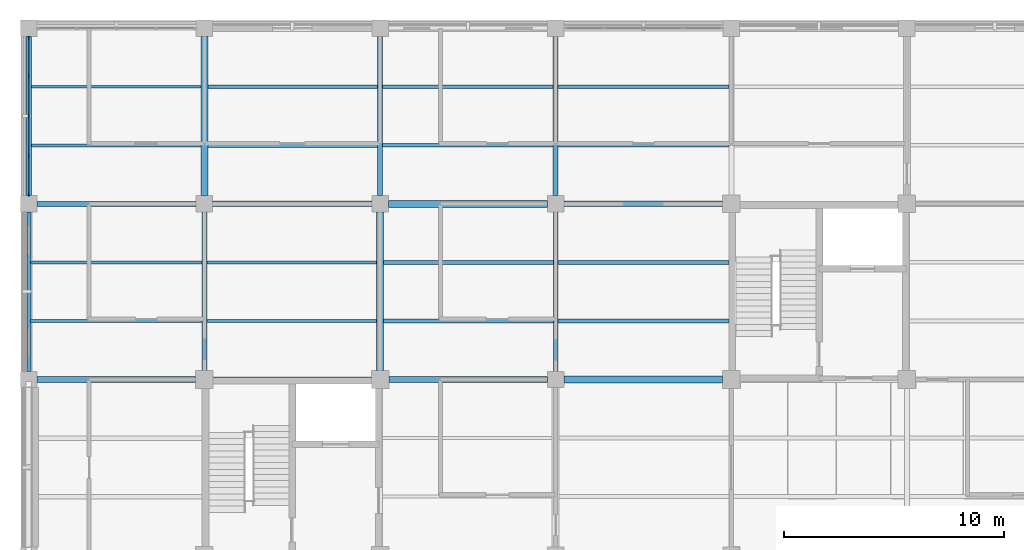
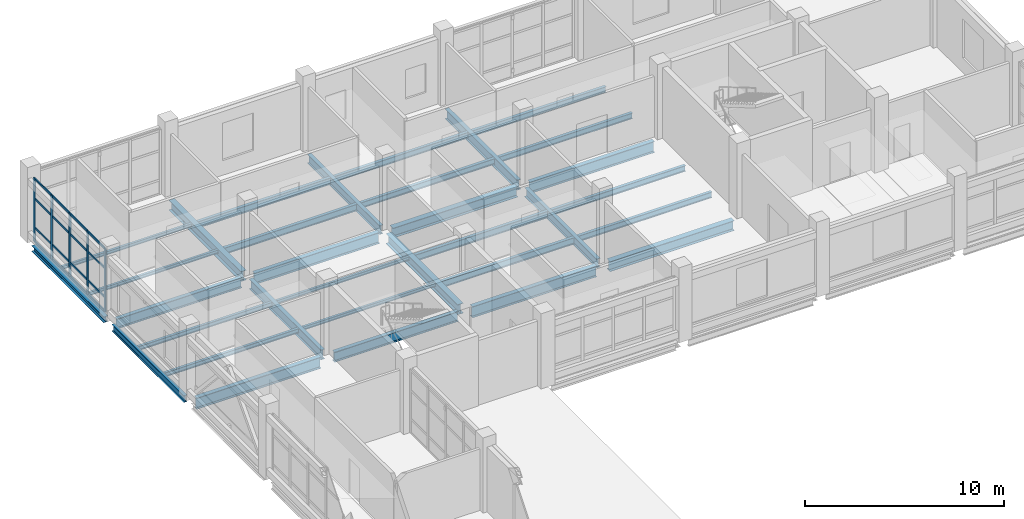
# One storey, part 35 of 121: 32 beams, 21 members, 1 element without a shape of its own.
"""IFC4 building model written with IfcOpenShell, lengths in metres."""

import ifcopenshell
import ifcopenshell.guid

model = None  # the IFC model being written
_history = None  # IfcOwnerHistory: only IFC2X3 demands one
_inside = {}  # id of a spatial element -> (the spatial element, [elements in it])
_under = {}  # id of a project, library or spatial element -> (it, [spatial elements below it])
_declared = {}  # id of a project -> (the project, [libraries it declares])
_typed = {}  # id of a type object -> (the type object, [elements of that type])
_made_of = {}  # id of a material, layer set ... -> (it, [elements and type objects made of it])


def new_model(schema):
    """Start an empty IFC model of exactly this schema.

    Asked for "IFC4X3", IfcOpenShell would pick the latest addendum, in which some entities
    have other attributes; the version numbers below select the first issue.
    IFC2X3 requires an IfcOwnerHistory on every rooted entity: one is made here for all.
    """
    global model, _history
    if schema == "IFC4X3":
        model = ifcopenshell.file(schema_version=(4, 3, 0, 0))
    else:
        model = ifcopenshell.file(schema=schema)
    _inside.clear()
    _under.clear()
    _declared.clear()
    _typed.clear()
    _made_of.clear()
    _history = None
    if model.schema == "IFC2X3":
        org = make("IfcOrganization", Name="unknown")
        user = make(
            "IfcPersonAndOrganization",
            ThePerson=make("IfcPerson", FamilyName="unknown"),
            TheOrganization=org,
        )
        app = make(
            "IfcApplication",
            ApplicationDeveloper=org,
            Version="unknown",
            ApplicationFullName="unknown",
            ApplicationIdentifier="unknown",
        )
        _history = make(
            "IfcOwnerHistory",
            OwningUser=user,
            OwningApplication=app,
            ChangeAction="ADDED",
            CreationDate=0,
        )
    return model


def make(cls, **values):
    """One entity of the class cls with the attributes given. An attribute that is None is left unset."""
    return model.create_entity(
        cls, **{name: value for name, value in values.items() if value is not None}
    )


def rooted(cls, **values):
    """An entity with a GlobalId (a new one), such as an element, a storey or a relation."""
    return make(cls, GlobalId=ifcopenshell.guid.new(), OwnerHistory=_history, **values)


def si_unit(unit_type, name, prefix=None):
    """IfcSIUnit, for example si_unit("LENGTHUNIT", "METRE", prefix="MILLI")."""
    return make("IfcSIUnit", UnitType=unit_type, Prefix=prefix, Name=name)


def derived_unit(unit_type, elements):
    """IfcDerivedUnit: a product of units, each with its exponent."""
    return make(
        "IfcDerivedUnit",
        Elements=[
            make("IfcDerivedUnitElement", Unit=unit, Exponent=power)
            for unit, power in elements
        ],
        UnitType=unit_type,
    )


def assignment(units):
    """IfcUnitAssignment: the units of a project."""
    return None if units is None else make("IfcUnitAssignment", Units=units)


def point(xyz):
    """IfcCartesianPoint."""
    return None if xyz is None else make("IfcCartesianPoint", Coordinates=xyz)


def direction(xyz):
    """IfcDirection."""
    return None if xyz is None else make("IfcDirection", DirectionRatios=xyz)


def frame(location, z_axis=None, x_axis=None):
    """IfcAxis2Placement3D, a coordinate frame: its origin and axes. An axis left out is left unset."""
    return make(
        "IfcAxis2Placement3D",
        Location=point(location),
        Axis=direction(z_axis),
        RefDirection=direction(x_axis),
    )


def frame_2d(location, x_axis=None):
    """IfcAxis2Placement2D, a coordinate frame in the plane: its origin and x axis."""
    return make(
        "IfcAxis2Placement2D", Location=point(location), RefDirection=direction(x_axis)
    )


def origin():
    """The frame at (0, 0, 0) with its axes left unset."""
    return frame((0.0, 0.0, 0.0))


def origin_2d():
    """The frame at (0, 0) in the plane with its x axis left unset."""
    return frame_2d((0.0, 0.0))


def place(relative_to, where):
    """IfcLocalPlacement: puts the frame where relative to a parent placement (None: the world)."""
    return make(
        "IfcLocalPlacement", PlacementRelTo=relative_to, RelativePlacement=where
    )


def context(
    kind, dimensions, precision=None, world=None, true_north=None, identifier=None
):
    """IfcGeometricRepresentationContext, for example the 3D "Model" context."""
    return make(
        "IfcGeometricRepresentationContext",
        ContextIdentifier=identifier,
        ContextType=kind,
        CoordinateSpaceDimension=dimensions,
        Precision=precision,
        WorldCoordinateSystem=world,
        TrueNorth=true_north,
    )


def subcontext(parent, identifier, kind, view, scale=None):
    """IfcGeometricRepresentationSubContext, for example "Body" below "Model"."""
    return make(
        "IfcGeometricRepresentationSubContext",
        ContextIdentifier=identifier,
        ContextType=kind,
        ParentContext=parent,
        TargetScale=scale,
        TargetView=view,
    )


def project(units=None, contexts=None):
    """IfcProject with its units and contexts."""
    return rooted(
        "IfcProject",
        Name="project",
        RepresentationContexts=contexts,
        UnitsInContext=assignment(units),
    )


def spatial(cls, under=None, at=None, **own):
    """A site, building, storey or space (cls), placed at a placement, below another one or the project."""
    s = rooted(cls, ObjectPlacement=at, **own)
    if under is not None:
        _under.setdefault(under.id(), (under, []))[1].append(s)
    return s


def profile(cls, at=None, kind="AREA", **sizes):
    """A parametric profile (cls). Its sizes go by their IFC names, for example OverallWidth=200.0."""
    return make(cls, ProfileType=kind, Position=at, **sizes)


def rectangle(**sizes):
    """IfcRectangleProfileDef."""
    return profile("IfcRectangleProfileDef", **sizes)


def i_section(**sizes):
    """IfcIShapeProfileDef."""
    return profile("IfcIShapeProfileDef", **sizes)


def extrude(swept, where, along, depth):
    """IfcExtrudedAreaSolid: the profile swept, set in the frame where, extruded along a direction by depth."""
    return make(
        "IfcExtrudedAreaSolid",
        SweptArea=swept,
        Position=where,
        ExtrudedDirection=direction(along),
        Depth=depth,
    )


def shape(context_of_items, identifier, shape_type, items):
    """IfcShapeRepresentation: the items that make up one representation, for example the "Body"."""
    return make(
        "IfcShapeRepresentation",
        ContextOfItems=context_of_items,
        RepresentationIdentifier=identifier,
        RepresentationType=shape_type,
        Items=items,
    )


def material(Name=None, Category=None):
    """IfcMaterial."""
    return make("IfcMaterial", Name=Name, Category=Category)


def layer(
    of_material, thickness, ventilated=None, Name=None, Category=None, Priority=None
):
    """IfcMaterialLayer: one layer of a wall or slab, of a material (None: an air gap)."""
    return make(
        "IfcMaterialLayer",
        Material=of_material,
        LayerThickness=thickness,
        IsVentilated=ventilated,
        Name=Name,
        Category=Category,
        Priority=Priority,
    )


def layer_set(layers, Name=None):
    """IfcMaterialLayerSet."""
    return make("IfcMaterialLayerSet", MaterialLayers=layers, LayerSetName=Name)


def material_profile(
    of_material, cross_section, Name=None, Category=None, Priority=None
):
    """IfcMaterialProfile: a cross section and its material."""
    return make(
        "IfcMaterialProfile",
        Name=Name,
        Material=of_material,
        Profile=cross_section,
        Priority=Priority,
        Category=Category,
    )


def profile_set(profiles, Name=None, composite=None):
    """IfcMaterialProfileSet."""
    return make(
        "IfcMaterialProfileSet",
        Name=Name,
        MaterialProfiles=profiles,
        CompositeProfile=composite,
    )


def made_of(thing, what):
    """Note that an element or type object is made of a material, layer set ...; save() writes the relation."""
    if what is not None:
        _made_of.setdefault(what.id(), (what, []))[1].append(thing)
    return thing


def type_object(cls, material=None, **own):
    """A type object (cls), such as IfcWallType, which elements share."""
    return made_of(rooted(cls, **own), material)


def element(
    cls,
    number,
    at=None,
    inside=None,
    cuts=None,
    type_object=None,
    material=None,
    context=None,
    identifier="Body",
    shape_type=None,
    held_by="IfcProductDefinitionShape",
    body=None,
    shapes=None,
    **own,
):
    """One element of the class cls, such as IfcWall. Its Tag is "e" and its number.

    at: its placement. inside: the storey or other place that contains it. cuts: it is an
    opening in that element (IfcRelVoidsElement). A single representation is given by context,
    identifier, shape_type and body (its items); several are given by shapes. held_by: the class
    of the entity that holds the representations. save() writes the other relations.
    """
    e = rooted(cls, Tag="e%d" % number, ObjectPlacement=at, **own)
    if body is not None:
        shapes = [shape(context, identifier, shape_type, body)]
    if shapes is not None:
        e.Representation = make(held_by, Representations=shapes)
    if inside is not None:
        _inside.setdefault(inside.id(), (inside, []))[1].append(e)
    if cuts is not None:
        rooted(
            "IfcRelVoidsElement", RelatingBuildingElement=cuts, RelatedOpeningElement=e
        )
    if type_object is not None:
        _typed.setdefault(type_object.id(), (type_object, []))[1].append(e)
    return made_of(e, material)


def aggregate(whole, parts):
    """IfcRelAggregates: a whole, such as a stair, and the parts it consists of."""
    return rooted("IfcRelAggregates", RelatingObject=whole, RelatedObjects=parts)


def save(model, path):
    """Write the relations noted so far, then the file.

    IfcRelAggregates (storeys below a building ...), IfcRelContainedInSpatialStructure (elements
    in a storey), IfcRelDefinesByType, IfcRelAssociatesMaterial and IfcRelDeclares: one each for
    every whole, place, type object, material and project.
    """
    for whole, parts in _under.values():
        aggregate(whole, parts)
    for where, things in _inside.values():
        rooted(
            "IfcRelContainedInSpatialStructure",
            RelatedElements=things,
            RelatingStructure=where,
        )
    for kind, things in _typed.values():
        rooted("IfcRelDefinesByType", RelatedObjects=things, RelatingType=kind)
    for what, things in _made_of.values():
        rooted("IfcRelAssociatesMaterial", RelatedObjects=things, RelatingMaterial=what)
    for by, libraries in _declared.values():
        rooted("IfcRelDeclares", RelatingContext=by, RelatedDefinitions=libraries)
    model.write(path)


model = new_model("IFC4")

# Units and contexts
model_context = context("Model", 3, precision=1e-05, world=origin(), true_north=direction((0.0, 1.0)))
body_context = subcontext(model_context, "Body", "Model", "MODEL_VIEW")
ifc_project = project(units=[si_unit("LENGTHUNIT", "METRE"), si_unit("AREAUNIT", "SQUARE_METRE"), si_unit("VOLUMEUNIT", "CUBIC_METRE"), si_unit("PLANEANGLEUNIT", "RADIAN"), si_unit("MASSUNIT", "GRAM", prefix="KILO"), derived_unit("THERMALTRANSMITTANCEUNIT", [(si_unit("MASSUNIT", "GRAM", prefix="KILO"), 1), (si_unit("TIMEUNIT", "SECOND"), -3), (si_unit("THERMODYNAMICTEMPERATUREUNIT", "KELVIN"), -1)])], contexts=[model_context])

# Site, building, storey
site_placement = place(None, origin())
site = spatial("IfcSite", under=ifc_project, at=site_placement, CompositionType="ELEMENT")
building_placement = place(site_placement, origin())
building = spatial("IfcBuilding", under=site, at=building_placement, Name="Veyamyaing Civic Hall", CompositionType="ELEMENT")
storey_placement = place(building_placement, frame((0.0, 0.0, 5.280029296875)))
storey = spatial("IfcBuildingStorey", under=building, at=storey_placement, Name="L01", CompositionType="ELEMENT", Elevation=5.280029296875)

# Beams
ifc_material_1 = material(Name="Steel ASTM A992", Category="steel")
ifc_material_profile_1 = material_profile(ifc_material_1, i_section(OverallWidth=0.256103515625, OverallDepth=0.693115234375, WebThickness=0.014404296875, FlangeThickness=0.023681640625, FilletRadius=0.013916015625, at=origin_2d()), Name="W690X170")
ifc_profile_set_1 = profile_set([ifc_material_profile_1], Name="Steel ASTM A992")
beam_type_1 = type_object("IfcBeamType", Name="B-04", PredefinedType="BEAM", material=ifc_profile_set_1)
for number, where, z_axis, x_axis, name in (
    (1, (0.375, 96.0, -0.591552734375), (1.0, 0.0, 0.0), (0.0, 1.0, 0.0), "Girder B-04 L01 Grid N 1-2"),
    (2, (24.375, 104.0, -0.591552734375), (1.0, 0.0, 0.0), (0.0, 1.0, 0.0), "Girder B-04 L01 Grid P 4-5"),
):
    element("IfcBeam", number, at=place(storey_placement, frame(where, z_axis=z_axis, x_axis=x_axis)), inside=storey, type_object=beam_type_1, Name=name, PredefinedType="BEAM", context=body_context, shape_type="SweptSolid", body=[
        extrude(i_section(OverallWidth=0.256103515625, OverallDepth=0.693115234375, WebThickness=0.014404296875, FlangeThickness=0.023681640625, FilletRadius=0.013916015625, at=origin_2d()), origin(), (0.0, 0.0, 1.0), 7.22509765625),
    ])
ifc_material_profile_2 = material_profile(ifc_material_1, i_section(OverallWidth=0.22998046875, OverallDepth=0.616943359375, WebThickness=0.01318359375, FlangeThickness=0.022216796875, FilletRadius=0.012939453125, at=origin_2d()), Name="W610X140")
ifc_profile_set_2 = profile_set([ifc_material_profile_2], Name="Steel ASTM A992")
beam_type_2 = type_object("IfcBeamType", Name="B-05", PredefinedType="BEAM", material=ifc_profile_set_2)
beam_1_placement = place(storey_placement, frame((8.39990234375, 96.0, -0.553466796875), z_axis=(1.0, 0.0, 0.0), x_axis=(0.0, 1.0, 0.0)))
element("IfcBeam", 3, at=beam_1_placement, inside=storey, type_object=beam_type_2, Name="Girder B-05 L01 Grid N 2-3", PredefinedType="BEAM", context=body_context, shape_type="SweptSolid", body=[
    extrude(i_section(OverallWidth=0.22998046875, OverallDepth=0.616943359375, WebThickness=0.01318359375, FlangeThickness=0.022216796875, FilletRadius=0.012939453125, at=origin_2d()), origin(), (0.0, 0.0, 1.0), 7.2001953125),
])
for number, where, z_axis, x_axis, name in (
    (4, (0.375, 104.0, -0.553466796875), (1.0, 0.0, 0.0), (0.0, 1.0, 0.0), "Girder B-05 L01 Grid P 1-2"),
    (5, (24.0, 104.375, -0.553466796875), (0.0, 1.0, 0.0), (-1.0, 0.0, 0.0), "Girder B-05 L01 Grid 4 P-Q"),
):
    element("IfcBeam", number, at=place(storey_placement, frame(where, z_axis=z_axis, x_axis=x_axis)), inside=storey, type_object=beam_type_2, Name=name, PredefinedType="BEAM", context=body_context, shape_type="SweptSolid", body=[
        extrude(i_section(OverallWidth=0.22998046875, OverallDepth=0.616943359375, WebThickness=0.01318359375, FlangeThickness=0.022216796875, FilletRadius=0.012939453125, at=origin_2d()), origin(), (0.0, 0.0, 1.0), 7.25),
    ])
ifc_material_profile_3 = material_profile(ifc_material_1, i_section(OverallWidth=0.22802734375, OverallDepth=0.60791015625, WebThickness=0.01123046875, FlangeThickness=0.017333984375, FilletRadius=0.012939453125, at=origin_2d()), Name="W610X113")
ifc_profile_set_3 = profile_set([ifc_material_profile_3], Name="Steel ASTM A992")
beam_type_3 = type_object("IfcBeamType", Name="B-06", PredefinedType="BEAM", material=ifc_profile_set_3)
beam_2_placement = place(storey_placement, frame((8.0, 96.39990234375, -0.549072265625), z_axis=(0.0, 1.0, 0.0), x_axis=(-1.0, 0.0, 0.0)))
element("IfcBeam", 6, at=beam_2_placement, inside=storey, type_object=beam_type_3, Name="Girder B-06 L01 Grid 2 N-P", PredefinedType="BEAM", context=body_context, shape_type="SweptSolid", body=[
    extrude(i_section(OverallWidth=0.22802734375, OverallDepth=0.60791015625, WebThickness=0.01123046875, FlangeThickness=0.017333984375, FilletRadius=0.012939453125, at=origin_2d()), origin(), (0.0, 0.0, 1.0), 7.22509765625),
])
ifc_material_profile_4 = material_profile(ifc_material_1, i_section(OverallWidth=0.25390625, OverallDepth=0.68408203125, WebThickness=0.012451171875, FlangeThickness=0.01904296875, FilletRadius=0.013916015625, at=origin_2d()), Name="W690X140")
ifc_profile_set_4 = profile_set([ifc_material_profile_4], Name="Steel ASTM A992")
beam_type_4 = type_object("IfcBeamType", Name="B-14", PredefinedType="BEAM", material=ifc_profile_set_4)
beam_3_placement = place(storey_placement, frame((16.39990234375, 96.0, -0.5869140625), z_axis=(1.0, 0.0, 0.0), x_axis=(0.0, 1.0, 0.0)))
element("IfcBeam", 7, at=beam_3_placement, inside=storey, type_object=beam_type_4, Name="Girder B-14 L01 Grid N 3-4", PredefinedType="BEAM", context=body_context, shape_type="SweptSolid", body=[
    extrude(i_section(OverallWidth=0.25390625, OverallDepth=0.68408203125, WebThickness=0.012451171875, FlangeThickness=0.01904296875, FilletRadius=0.013916015625, at=origin_2d()), origin(), (0.0, 0.0, 1.0), 7.22509765625),
])
beam_4_placement = place(storey_placement, frame((8.375, 104.0, -0.5869140625), z_axis=(1.0, 0.0, 0.0), x_axis=(0.0, 1.0, 0.0)))
element("IfcBeam", 8, at=beam_4_placement, inside=storey, type_object=beam_type_4, Name="Girder B-14 L01 Grid P 2-3", PredefinedType="BEAM", context=body_context, shape_type="SweptSolid", body=[
    extrude(i_section(OverallWidth=0.25390625, OverallDepth=0.68408203125, WebThickness=0.012451171875, FlangeThickness=0.01904296875, FilletRadius=0.013916015625, at=origin_2d()), origin(), (0.0, 0.0, 1.0), 7.25),
])
ifc_material_profile_5 = material_profile(ifc_material_1, i_section(OverallWidth=0.324951171875, OverallDepth=0.615966796875, WebThickness=0.013916015625, FlangeThickness=0.021484375, FilletRadius=0.013916015625, at=origin_2d()), Name="W610X174")
ifc_profile_set_5 = profile_set([ifc_material_profile_5], Name="Steel ASTM A992")
beam_type_5 = type_object("IfcBeamType", Name="B-15", PredefinedType="BEAM", material=ifc_profile_set_5)
beam_5_placement = place(storey_placement, frame((24.375, 96.0, -0.552978515625), z_axis=(1.0, 0.0, 0.0), x_axis=(0.0, 1.0, 0.0)))
element("IfcBeam", 9, at=beam_5_placement, inside=storey, type_object=beam_type_5, Name="Girder B-15 L01 Grid N 4-5", PredefinedType="BEAM", context=body_context, shape_type="SweptSolid", body=[
    extrude(i_section(OverallWidth=0.324951171875, OverallDepth=0.615966796875, WebThickness=0.013916015625, FlangeThickness=0.021484375, FilletRadius=0.013916015625, at=origin_2d()), origin(), (0.0, 0.0, 1.0), 7.22509765625),
])
for number, where, z_axis, x_axis, name in (
    (10, (16.375, 104.0, -0.552978515625), (1.0, 0.0, 0.0), (0.0, 1.0, 0.0), "Girder B-15 L01 Grid P 3-4"),
    (11, (8.0, 104.375, -0.552978515625), (0.0, 1.0, 0.0), (-1.0, 0.0, 0.0), "Girder B-15 L01 Grid 2 P-Q"),
):
    element("IfcBeam", number, at=place(storey_placement, frame(where, z_axis=z_axis, x_axis=x_axis)), inside=storey, type_object=beam_type_5, Name=name, PredefinedType="BEAM", context=body_context, shape_type="SweptSolid", body=[
        extrude(i_section(OverallWidth=0.324951171875, OverallDepth=0.615966796875, WebThickness=0.013916015625, FlangeThickness=0.021484375, FilletRadius=0.013916015625, at=origin_2d()), origin(), (0.0, 0.0, 1.0), 7.25),
    ])
beam_6_placement = place(storey_placement, frame((16.0, 96.39990234375, -0.552978515625), z_axis=(0.0, 1.0, 0.0), x_axis=(-1.0, 0.0, 0.0)))
element("IfcBeam", 12, at=beam_6_placement, inside=storey, type_object=beam_type_5, Name="Girder B-15 L01 Grid 3 N-P", PredefinedType="BEAM", context=body_context, shape_type="SweptSolid", body=[
    extrude(i_section(OverallWidth=0.324951171875, OverallDepth=0.615966796875, WebThickness=0.013916015625, FlangeThickness=0.021484375, FilletRadius=0.013916015625, at=origin_2d()), origin(), (0.0, 0.0, 1.0), 7.22509765625),
])
ifc_material_profile_6 = material_profile(ifc_material_1, i_section(OverallWidth=0.214111328125, OverallDepth=0.549072265625, WebThickness=0.0146484375, FlangeThickness=0.023681640625, FilletRadius=0.011962890625, at=origin_2d()), Name="W530X138")
ifc_profile_set_6 = profile_set([ifc_material_profile_6], Name="Steel ASTM A992")
beam_type_6 = type_object("IfcBeamType", Name="B-16", PredefinedType="BEAM", material=ifc_profile_set_6)
for number, where, z_axis, x_axis, name in (
    (13, (16.0, 104.375, -0.51953125), (0.0, 1.0, 0.0), (-1.0, 0.0, 0.0), "Girder B-16 L01 Grid 3 P-Q"),
    (14, (24.0, 96.375, -0.51953125), (0.0, 1.0, 0.0), (-1.0, 0.0, 0.0), "Girder B-16 L01 Grid 4 N-P"),
):
    element("IfcBeam", number, at=place(storey_placement, frame(where, z_axis=z_axis, x_axis=x_axis)), inside=storey, type_object=beam_type_6, Name=name, PredefinedType="BEAM", context=body_context, shape_type="SweptSolid", body=[
        extrude(i_section(OverallWidth=0.214111328125, OverallDepth=0.549072265625, WebThickness=0.0146484375, FlangeThickness=0.023681640625, FilletRadius=0.011962890625, at=origin_2d()), origin(), (0.0, 0.0, 1.0), 7.25),
    ])
ifc_material_profile_7 = material_profile(ifc_material_1, i_section(OverallWidth=0.180908203125, OverallDepth=0.4169921875, WebThickness=0.010986328125, FlangeThickness=0.018310546875, FilletRadius=0.010009765625, at=origin_2d()), Name="W410X85")
ifc_profile_set_7 = profile_set([ifc_material_profile_7], Name="Steel ASTM A992")
beam_type_7 = type_object("IfcBeamType", Name="B-19", PredefinedType="SPANDREL", material=ifc_profile_set_7)
beam_7_placement = place(storey_placement, frame((0.0, 96.375, -0.45361328125), z_axis=(0.0, 1.0, 0.0), x_axis=(-1.0, 0.0, 0.0)))
element("IfcBeam", 15, at=beam_7_placement, inside=storey, type_object=beam_type_7, Name="Girder B-19 L01 Grid 1 N-P", PredefinedType="SPANDREL", context=body_context, shape_type="SweptSolid", body=[
    extrude(i_section(OverallWidth=0.180908203125, OverallDepth=0.4169921875, WebThickness=0.010986328125, FlangeThickness=0.018310546875, FilletRadius=0.010009765625, at=origin_2d()), origin(), (0.0, 0.0, 1.0), 7.25),
])
ifc_material_profile_8 = material_profile(ifc_material_1, i_section(OverallWidth=0.25390625, OverallDepth=0.35302734375, WebThickness=0.009521484375, FlangeThickness=0.016357421875, FilletRadius=0.011962890625, at=origin_2d()), Name="W360X91")
ifc_profile_set_8 = profile_set([ifc_material_profile_8], Name="Steel ASTM A992")
beam_type_8 = type_object("IfcBeamType", Name="B-20", PredefinedType="SPANDREL", material=ifc_profile_set_8)
beam_8_placement = place(storey_placement, frame((0.0, 104.375, -0.421630859375), z_axis=(0.0, 1.0, 0.0), x_axis=(-1.0, 0.0, 0.0)))
element("IfcBeam", 16, at=beam_8_placement, inside=storey, type_object=beam_type_8, Name="Girder B-20 L01 Grid 1 P-Q", PredefinedType="SPANDREL", context=body_context, shape_type="SweptSolid", body=[
    extrude(i_section(OverallWidth=0.25390625, OverallDepth=0.35302734375, WebThickness=0.009521484375, FlangeThickness=0.016357421875, FilletRadius=0.011962890625, at=origin_2d()), origin(), (0.0, 0.0, 1.0), 7.25),
])

# Curtain wall, members
ifc_material_2 = material(Name="Anodised aluminium 6063-T6", Category="aluminium")
ifc_layer = layer(ifc_material_2, 0.159912109375, Name="Anodised aluminium 6063-T6")
ifc_layer_set = layer_set([ifc_layer], Name="Anodised aluminium 6063-T6")
curtain_wall_type = type_object("IfcCurtainWallType", Name="CW-02", PredefinedType="NOTDEFINED", material=ifc_layer_set)
curtain_wall_placement = place(storey_placement, origin())
curtain_wall = element("IfcCurtainWall", 17, at=curtain_wall_placement, inside=storey, type_object=curtain_wall_type, Name="Unitized curtain wall CW-02 L01 W 1.14", PredefinedType="NOTDEFINED")
ifc_material_profile_9 = material_profile(ifc_material_2, rectangle(XDim=0.06494140625, YDim=0.159912109375, at=origin_2d()), Name="ALU-MUL-65X160")
ifc_profile_set_9 = profile_set([ifc_material_profile_9], Name="Anodised aluminium 6063-T6")
member_type_1 = type_object("IfcMemberType", Name="CWM-01", PredefinedType="MULLION", material=ifc_profile_set_9)
member_1_placement = place(storey_placement, frame((0.0, 104.4375, 0.0), z_axis=(0.0, 0.0, 1.0), x_axis=(-1.0, 0.0, 0.0)))
member_1 = element("IfcMember", 18, at=member_1_placement, type_object=member_type_1, Name="CW-02 mullion 1", PredefinedType="MULLION", context=body_context, shape_type="SweptSolid", body=[
    extrude(rectangle(XDim=0.06494140625, YDim=0.159912109375, at=origin_2d()), origin(), (0.0, 0.0, 1.0), 3.9140625),
])
member_2_placement = place(storey_placement, frame((0.0, 106.202392578125, 0.0), z_axis=(0.0, 0.0, 1.0), x_axis=(-1.0, 0.0, 0.0)))
member_2 = element("IfcMember", 19, at=member_2_placement, type_object=member_type_1, Name="CW-02 mullion 2", PredefinedType="MULLION", context=body_context, shape_type="SweptSolid", body=[
    extrude(rectangle(XDim=0.06494140625, YDim=0.159912109375, at=origin_2d()), origin(), (0.0, 0.0, 1.0), 3.9140625),
])
member_3_placement = place(storey_placement, frame((0.0, 108.0, 0.0), z_axis=(0.0, 0.0, 1.0), x_axis=(-1.0, 0.0, 0.0)))
member_3 = element("IfcMember", 20, at=member_3_placement, type_object=member_type_1, Name="CW-02 mullion 3", PredefinedType="MULLION", context=body_context, shape_type="SweptSolid", body=[
    extrude(rectangle(XDim=0.06494140625, YDim=0.159912109375, at=origin_2d()), origin(), (0.0, 0.0, 1.0), 3.9140625),
])
member_4_placement = place(storey_placement, frame((0.0, 109.797607421875, 0.0), z_axis=(0.0, 0.0, 1.0), x_axis=(-1.0, 0.0, 0.0)))
member_4 = element("IfcMember", 21, at=member_4_placement, type_object=member_type_1, Name="CW-02 mullion 4", PredefinedType="MULLION", context=body_context, shape_type="SweptSolid", body=[
    extrude(rectangle(XDim=0.06494140625, YDim=0.159912109375, at=origin_2d()), origin(), (0.0, 0.0, 1.0), 3.9140625),
])
member_5_placement = place(storey_placement, frame((0.0, 111.5625, 0.0), z_axis=(0.0, 0.0, 1.0), x_axis=(-1.0, 0.0, 0.0)))
member_5 = element("IfcMember", 22, at=member_5_placement, type_object=member_type_1, Name="CW-02 mullion 5", PredefinedType="MULLION", context=body_context, shape_type="SweptSolid", body=[
    extrude(rectangle(XDim=0.06494140625, YDim=0.159912109375, at=origin_2d()), origin(), (0.0, 0.0, 1.0), 3.9140625),
])
ifc_material_profile_10 = material_profile(ifc_material_2, rectangle(XDim=0.06494140625, YDim=0.1201171875, at=origin_2d()), Name="ALU-TRN-65X120")
ifc_profile_set_10 = profile_set([ifc_material_profile_10], Name="Anodised aluminium 6063-T6")
member_type_2 = type_object("IfcMemberType", Name="CWT-01", PredefinedType="USERDEFINED", material=ifc_profile_set_10)
member_6_placement = place(storey_placement, frame((0.0, 104.469970703125, 0.032470703125), z_axis=(0.0, 1.0, 0.0), x_axis=(-1.0, 0.0, 0.0)))
member_6 = element("IfcMember", 23, at=member_6_placement, type_object=member_type_2, Name="CW-02 transom 1.1", ObjectType="TRANSOM", PredefinedType="USERDEFINED", context=body_context, shape_type="SweptSolid", body=[
    extrude(rectangle(XDim=0.06494140625, YDim=0.1201171875, at=origin_2d()), origin(), (0.0, 0.0, 1.0), 1.699951171875),
])
member_7_placement = place(storey_placement, frame((0.0, 104.469970703125, 0.89990234375), z_axis=(0.0, 1.0, 0.0), x_axis=(-1.0, 0.0, 0.0)))
member_7 = element("IfcMember", 24, at=member_7_placement, type_object=member_type_2, Name="CW-02 transom 1.2", ObjectType="TRANSOM", PredefinedType="USERDEFINED", context=body_context, shape_type="SweptSolid", body=[
    extrude(rectangle(XDim=0.06494140625, YDim=0.1201171875, at=origin_2d()), origin(), (0.0, 0.0, 1.0), 1.699951171875),
])
member_8_placement = place(storey_placement, frame((0.0, 104.469970703125, 2.661376953125), z_axis=(0.0, 1.0, 0.0), x_axis=(-1.0, 0.0, 0.0)))
member_8 = element("IfcMember", 25, at=member_8_placement, type_object=member_type_2, Name="CW-02 transom 1.3", ObjectType="TRANSOM", PredefinedType="USERDEFINED", context=body_context, shape_type="SweptSolid", body=[
    extrude(rectangle(XDim=0.06494140625, YDim=0.1201171875, at=origin_2d()), origin(), (0.0, 0.0, 1.0), 1.699951171875),
])
member_9_placement = place(storey_placement, frame((0.0, 104.469970703125, 3.881591796875), z_axis=(0.0, 1.0, 0.0), x_axis=(-1.0, 0.0, 0.0)))
member_9 = element("IfcMember", 26, at=member_9_placement, type_object=member_type_2, Name="CW-02 transom 1.4", ObjectType="TRANSOM", PredefinedType="USERDEFINED", context=body_context, shape_type="SweptSolid", body=[
    extrude(rectangle(XDim=0.06494140625, YDim=0.1201171875, at=origin_2d()), origin(), (0.0, 0.0, 1.0), 1.699951171875),
])
member_10_placement = place(storey_placement, frame((0.0, 106.235107421875, 0.032470703125), z_axis=(0.0, 1.0, 0.0), x_axis=(-1.0, 0.0, 0.0)))
member_10 = element("IfcMember", 27, at=member_10_placement, type_object=member_type_2, Name="CW-02 transom 2.1", ObjectType="TRANSOM", PredefinedType="USERDEFINED", context=body_context, shape_type="SweptSolid", body=[
    extrude(rectangle(XDim=0.06494140625, YDim=0.1201171875, at=origin_2d()), origin(), (0.0, 0.0, 1.0), 1.732421875),
])
member_11_placement = place(storey_placement, frame((0.0, 106.235107421875, 0.89990234375), z_axis=(0.0, 1.0, 0.0), x_axis=(-1.0, 0.0, 0.0)))
member_11 = element("IfcMember", 28, at=member_11_placement, type_object=member_type_2, Name="CW-02 transom 2.2", ObjectType="TRANSOM", PredefinedType="USERDEFINED", context=body_context, shape_type="SweptSolid", body=[
    extrude(rectangle(XDim=0.06494140625, YDim=0.1201171875, at=origin_2d()), origin(), (0.0, 0.0, 1.0), 1.732421875),
])
member_12_placement = place(storey_placement, frame((0.0, 106.235107421875, 2.661376953125), z_axis=(0.0, 1.0, 0.0), x_axis=(-1.0, 0.0, 0.0)))
member_12 = element("IfcMember", 29, at=member_12_placement, type_object=member_type_2, Name="CW-02 transom 2.3", ObjectType="TRANSOM", PredefinedType="USERDEFINED", context=body_context, shape_type="SweptSolid", body=[
    extrude(rectangle(XDim=0.06494140625, YDim=0.1201171875, at=origin_2d()), origin(), (0.0, 0.0, 1.0), 1.732421875),
])
member_13_placement = place(storey_placement, frame((0.0, 106.235107421875, 3.881591796875), z_axis=(0.0, 1.0, 0.0), x_axis=(-1.0, 0.0, 0.0)))
member_13 = element("IfcMember", 30, at=member_13_placement, type_object=member_type_2, Name="CW-02 transom 2.4", ObjectType="TRANSOM", PredefinedType="USERDEFINED", context=body_context, shape_type="SweptSolid", body=[
    extrude(rectangle(XDim=0.06494140625, YDim=0.1201171875, at=origin_2d()), origin(), (0.0, 0.0, 1.0), 1.732421875),
])
member_14_placement = place(storey_placement, frame((0.0, 108.032470703125, 0.032470703125), z_axis=(0.0, 1.0, 0.0), x_axis=(-1.0, 0.0, 0.0)))
member_14 = element("IfcMember", 31, at=member_14_placement, type_object=member_type_2, Name="CW-02 transom 3.1", ObjectType="TRANSOM", PredefinedType="USERDEFINED", context=body_context, shape_type="SweptSolid", body=[
    extrude(rectangle(XDim=0.06494140625, YDim=0.1201171875, at=origin_2d()), origin(), (0.0, 0.0, 1.0), 1.732421875),
])
member_15_placement = place(storey_placement, frame((0.0, 108.032470703125, 0.89990234375), z_axis=(0.0, 1.0, 0.0), x_axis=(-1.0, 0.0, 0.0)))
member_15 = element("IfcMember", 32, at=member_15_placement, type_object=member_type_2, Name="CW-02 transom 3.2", ObjectType="TRANSOM", PredefinedType="USERDEFINED", context=body_context, shape_type="SweptSolid", body=[
    extrude(rectangle(XDim=0.06494140625, YDim=0.1201171875, at=origin_2d()), origin(), (0.0, 0.0, 1.0), 1.732421875),
])
member_16_placement = place(storey_placement, frame((0.0, 108.032470703125, 2.661376953125), z_axis=(0.0, 1.0, 0.0), x_axis=(-1.0, 0.0, 0.0)))
member_16 = element("IfcMember", 33, at=member_16_placement, type_object=member_type_2, Name="CW-02 transom 3.3", ObjectType="TRANSOM", PredefinedType="USERDEFINED", context=body_context, shape_type="SweptSolid", body=[
    extrude(rectangle(XDim=0.06494140625, YDim=0.1201171875, at=origin_2d()), origin(), (0.0, 0.0, 1.0), 1.732421875),
])
member_17_placement = place(storey_placement, frame((0.0, 108.032470703125, 3.881591796875), z_axis=(0.0, 1.0, 0.0), x_axis=(-1.0, 0.0, 0.0)))
member_17 = element("IfcMember", 34, at=member_17_placement, type_object=member_type_2, Name="CW-02 transom 3.4", ObjectType="TRANSOM", PredefinedType="USERDEFINED", context=body_context, shape_type="SweptSolid", body=[
    extrude(rectangle(XDim=0.06494140625, YDim=0.1201171875, at=origin_2d()), origin(), (0.0, 0.0, 1.0), 1.732421875),
])
member_18_placement = place(storey_placement, frame((0.0, 109.830078125, 0.032470703125), z_axis=(0.0, 1.0, 0.0), x_axis=(-1.0, 0.0, 0.0)))
member_18 = element("IfcMember", 35, at=member_18_placement, type_object=member_type_2, Name="CW-02 transom 4.1", ObjectType="TRANSOM", PredefinedType="USERDEFINED", context=body_context, shape_type="SweptSolid", body=[
    extrude(rectangle(XDim=0.06494140625, YDim=0.1201171875, at=origin_2d()), origin(), (0.0, 0.0, 1.0), 1.699951171875),
])
member_19_placement = place(storey_placement, frame((0.0, 109.830078125, 0.89990234375), z_axis=(0.0, 1.0, 0.0), x_axis=(-1.0, 0.0, 0.0)))
member_19 = element("IfcMember", 36, at=member_19_placement, type_object=member_type_2, Name="CW-02 transom 4.2", ObjectType="TRANSOM", PredefinedType="USERDEFINED", context=body_context, shape_type="SweptSolid", body=[
    extrude(rectangle(XDim=0.06494140625, YDim=0.1201171875, at=origin_2d()), origin(), (0.0, 0.0, 1.0), 1.699951171875),
])
member_20_placement = place(storey_placement, frame((0.0, 109.830078125, 2.661376953125), z_axis=(0.0, 1.0, 0.0), x_axis=(-1.0, 0.0, 0.0)))
member_20 = element("IfcMember", 37, at=member_20_placement, type_object=member_type_2, Name="CW-02 transom 4.3", ObjectType="TRANSOM", PredefinedType="USERDEFINED", context=body_context, shape_type="SweptSolid", body=[
    extrude(rectangle(XDim=0.06494140625, YDim=0.1201171875, at=origin_2d()), origin(), (0.0, 0.0, 1.0), 1.699951171875),
])
member_21_placement = place(storey_placement, frame((0.0, 109.830078125, 3.881591796875), z_axis=(0.0, 1.0, 0.0), x_axis=(-1.0, 0.0, 0.0)))
member_21 = element("IfcMember", 38, at=member_21_placement, type_object=member_type_2, Name="CW-02 transom 4.4", ObjectType="TRANSOM", PredefinedType="USERDEFINED", context=body_context, shape_type="SweptSolid", body=[
    extrude(rectangle(XDim=0.06494140625, YDim=0.1201171875, at=origin_2d()), origin(), (0.0, 0.0, 1.0), 1.699951171875),
])
aggregate(curtain_wall, [member_1, member_2, member_3, member_4, member_5, member_6, member_7, member_8, member_9, member_10, member_11, member_12, member_13, member_14, member_15, member_16, member_17, member_18, member_19, member_20, member_21])

# Beams
ifc_material_profile_11 = material_profile(ifc_material_1, i_section(OverallWidth=0.177978515625, OverallDepth=0.406982421875, WebThickness=0.0078125, FlangeThickness=0.0126953125, FilletRadius=0.010009765625, at=origin_2d()), Name="W410X60")
ifc_profile_set_11 = profile_set([ifc_material_profile_11], Name="Steel ASTM A992")
beam_type_9 = type_object("IfcBeamType", Name="J-01", PredefinedType="JOIST", material=ifc_profile_set_11)
for number, where, z_axis, x_axis, name in (
    (39, (8.160400390625, 106.666748046875, -0.448486328125), (1.0, 0.0, 0.0), (0.0, 1.0, 0.0), "Composite floor joist J-01 L01 2.14.1"),
    (40, (8.160400390625, 109.333251953125, -0.448486328125), (1.0, 0.0, 0.0), (0.0, 1.0, 0.0), "Composite floor joist J-01 L01 2.14.2"),
    (41, (16.160400390625, 98.666748046875, -0.448486328125), (1.0, 0.0, 0.0), (0.0, 1.0, 0.0), "Composite floor joist J-01 L01 3.13.1"),
    (42, (16.160400390625, 101.333251953125, -0.448486328125), (1.0, 0.0, 0.0), (0.0, 1.0, 0.0), "Composite floor joist J-01 L01 3.13.2"),
):
    element("IfcBeam", number, at=place(storey_placement, frame(where, z_axis=z_axis, x_axis=x_axis)), inside=storey, type_object=beam_type_9, Name=name, PredefinedType="JOIST", context=body_context, shape_type="SweptSolid", body=[
        extrude(i_section(OverallWidth=0.177978515625, OverallDepth=0.406982421875, WebThickness=0.0078125, FlangeThickness=0.0126953125, FilletRadius=0.010009765625, at=origin_2d()), origin(), (0.0, 0.0, 1.0), 7.734619140625),
    ])
ifc_material_profile_12 = material_profile(ifc_material_1, i_section(OverallWidth=0.172119140625, OverallDepth=0.35791015625, WebThickness=0.0078125, FlangeThickness=0.01318359375, FilletRadius=0.010009765625, at=origin_2d()), Name="W360X57")
ifc_profile_set_12 = profile_set([ifc_material_profile_12], Name="Steel ASTM A992")
beam_type_10 = type_object("IfcBeamType", Name="J-02", PredefinedType="JOIST", material=ifc_profile_set_12)
for number, where, z_axis, x_axis, name in (
    (43, (16.10498046875, 106.666748046875, -0.424072265625), (1.0, 0.0, 0.0), (0.0, 1.0, 0.0), "Composite floor joist J-02 L01 3.14.1"),
    (44, (16.10498046875, 109.333251953125, -0.424072265625), (1.0, 0.0, 0.0), (0.0, 1.0, 0.0), "Composite floor joist J-02 L01 3.14.2"),
    (45, (24.10498046875, 98.666748046875, -0.424072265625), (1.0, 0.0, 0.0), (0.0, 1.0, 0.0), "Composite floor joist J-02 L01 4.13.1"),
    (46, (24.10498046875, 101.333251953125, -0.424072265625), (1.0, 0.0, 0.0), (0.0, 1.0, 0.0), "Composite floor joist J-02 L01 4.13.2"),
):
    element("IfcBeam", number, at=place(storey_placement, frame(where, z_axis=z_axis, x_axis=x_axis)), inside=storey, type_object=beam_type_10, Name=name, PredefinedType="JOIST", context=body_context, shape_type="SweptSolid", body=[
        extrude(i_section(OverallWidth=0.172119140625, OverallDepth=0.35791015625, WebThickness=0.0078125, FlangeThickness=0.01318359375, FilletRadius=0.010009765625, at=origin_2d()), origin(), (0.0, 0.0, 1.0), 7.781982421875),
    ])
ifc_material_profile_13 = material_profile(ifc_material_1, i_section(OverallWidth=0.1708984375, OverallDepth=0.35205078125, WebThickness=0.0068359375, FlangeThickness=0.009765625, FilletRadius=0.010009765625, at=origin_2d()), Name="W360X44")
ifc_profile_set_13 = profile_set([ifc_material_profile_13], Name="Steel ASTM A992")
beam_type_11 = type_object("IfcBeamType", Name="J-03", PredefinedType="JOIST", material=ifc_profile_set_13)
for number, where, z_axis, x_axis, name in (
    (47, (24.113037109375, 106.666748046875, -0.421142578125), (1.0, 0.0, 0.0), (0.0, 1.0, 0.0), "Composite floor joist J-03 L01 4.14.1"),
    (48, (24.113037109375, 109.333251953125, -0.421142578125), (1.0, 0.0, 0.0), (0.0, 1.0, 0.0), "Composite floor joist J-03 L01 4.14.2"),
):
    element("IfcBeam", number, at=place(storey_placement, frame(where, z_axis=z_axis, x_axis=x_axis)), inside=storey, type_object=beam_type_11, Name=name, PredefinedType="JOIST", context=body_context, shape_type="SweptSolid", body=[
        extrude(i_section(OverallWidth=0.1708984375, OverallDepth=0.35205078125, WebThickness=0.0068359375, FlangeThickness=0.009765625, FilletRadius=0.010009765625, at=origin_2d()), origin(), (0.0, 0.0, 1.0), 7.77490234375),
    ])
ifc_material_profile_14 = material_profile(ifc_material_1, i_section(OverallWidth=0.14794921875, OverallDepth=0.26611328125, WebThickness=0.007568359375, FlangeThickness=0.012939453125, FilletRadius=0.010009765625, at=origin_2d()), Name="W250X45")
ifc_profile_set_14 = profile_set([ifc_material_profile_14], Name="Steel ASTM A992")
beam_type_12 = type_object("IfcBeamType", Name="J-07", PredefinedType="JOIST", material=ifc_profile_set_14)
for number, where, z_axis, x_axis, name in (
    (49, (0.08837890625, 98.666748046875, -0.3779296875), (1.0, 0.0, 0.0), (0.0, 1.0, 0.0), "Composite floor joist J-07 L01 1.13.1"),
    (50, (0.08837890625, 101.333251953125, -0.3779296875), (1.0, 0.0, 0.0), (0.0, 1.0, 0.0), "Composite floor joist J-07 L01 1.13.2"),
):
    element("IfcBeam", number, at=place(storey_placement, frame(where, z_axis=z_axis, x_axis=x_axis)), inside=storey, type_object=beam_type_12, Name=name, PredefinedType="JOIST", context=body_context, shape_type="SweptSolid", body=[
        extrude(i_section(OverallWidth=0.14794921875, OverallDepth=0.26611328125, WebThickness=0.007568359375, FlangeThickness=0.012939453125, FilletRadius=0.010009765625, at=origin_2d()), origin(), (0.0, 0.0, 1.0), 7.799560546875),
    ])
ifc_material_profile_15 = material_profile(ifc_material_1, i_section(OverallWidth=0.133056640625, OverallDepth=0.20703125, WebThickness=0.005859375, FlangeThickness=0.00830078125, FilletRadius=0.010009765625, at=origin_2d()), Name="W200X27")
ifc_profile_set_15 = profile_set([ifc_material_profile_15], Name="Steel ASTM A992")
beam_type_13 = type_object("IfcBeamType", Name="J-08", PredefinedType="JOIST", material=ifc_profile_set_15)
for number, where, z_axis, x_axis, name in (
    (51, (0.125, 106.666748046875, -0.3486328125), (1.0, 0.0, 0.0), (0.0, 1.0, 0.0), "Composite floor joist J-08 L01 1.14.1"),
    (52, (0.125, 109.333251953125, -0.3486328125), (1.0, 0.0, 0.0), (0.0, 1.0, 0.0), "Composite floor joist J-08 L01 1.14.2"),
):
    element("IfcBeam", number, at=place(storey_placement, frame(where, z_axis=z_axis, x_axis=x_axis)), inside=storey, type_object=beam_type_13, Name=name, PredefinedType="JOIST", context=body_context, shape_type="SweptSolid", body=[
        extrude(i_section(OverallWidth=0.133056640625, OverallDepth=0.20703125, WebThickness=0.005859375, FlangeThickness=0.00830078125, FilletRadius=0.010009765625, at=origin_2d()), origin(), (0.0, 0.0, 1.0), 7.714599609375),
    ])
for number, where, z_axis, x_axis, name in (
    (53, (8.112060546875, 98.666748046875, -0.3486328125), (1.0, 0.0, 0.0), (0.0, 1.0, 0.0), "Composite floor joist J-08 L01 2.13.1"),
    (54, (8.112060546875, 101.333251953125, -0.3486328125), (1.0, 0.0, 0.0), (0.0, 1.0, 0.0), "Composite floor joist J-08 L01 2.13.2"),
):
    element("IfcBeam", number, at=place(storey_placement, frame(where, z_axis=z_axis, x_axis=x_axis)), inside=storey, type_object=beam_type_13, Name=name, PredefinedType="JOIST", context=body_context, shape_type="SweptSolid", body=[
        extrude(i_section(OverallWidth=0.133056640625, OverallDepth=0.20703125, WebThickness=0.005859375, FlangeThickness=0.00830078125, FilletRadius=0.010009765625, at=origin_2d()), origin(), (0.0, 0.0, 1.0), 7.7275390625),
    ])

save(model, "model.ifc")
